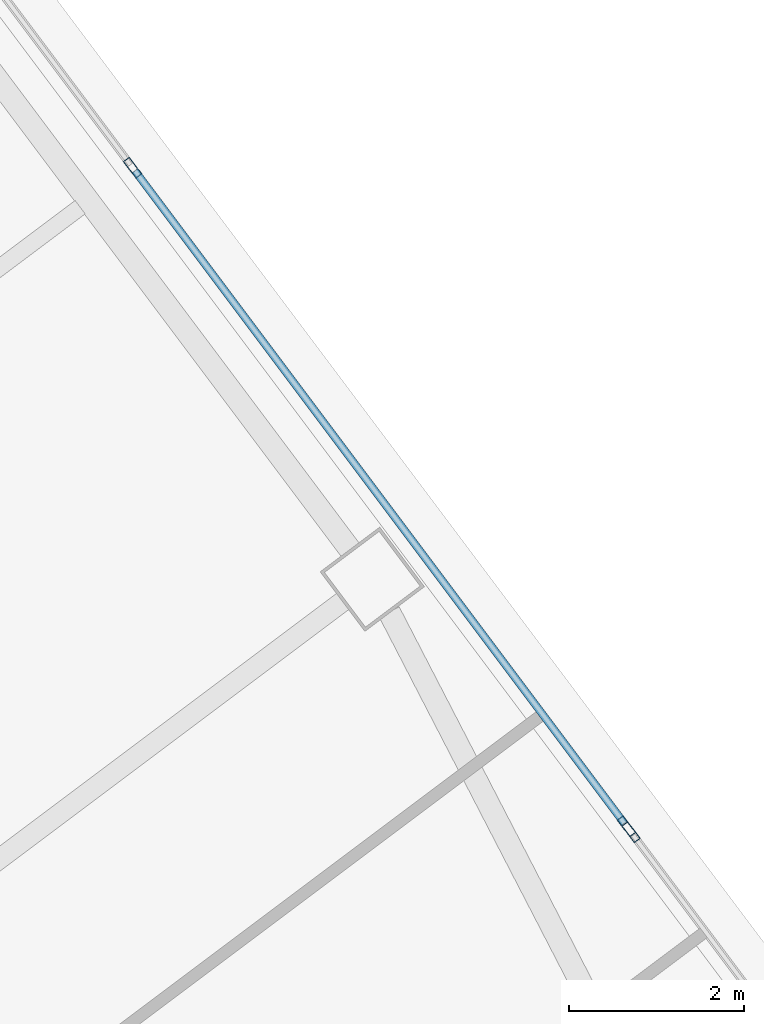
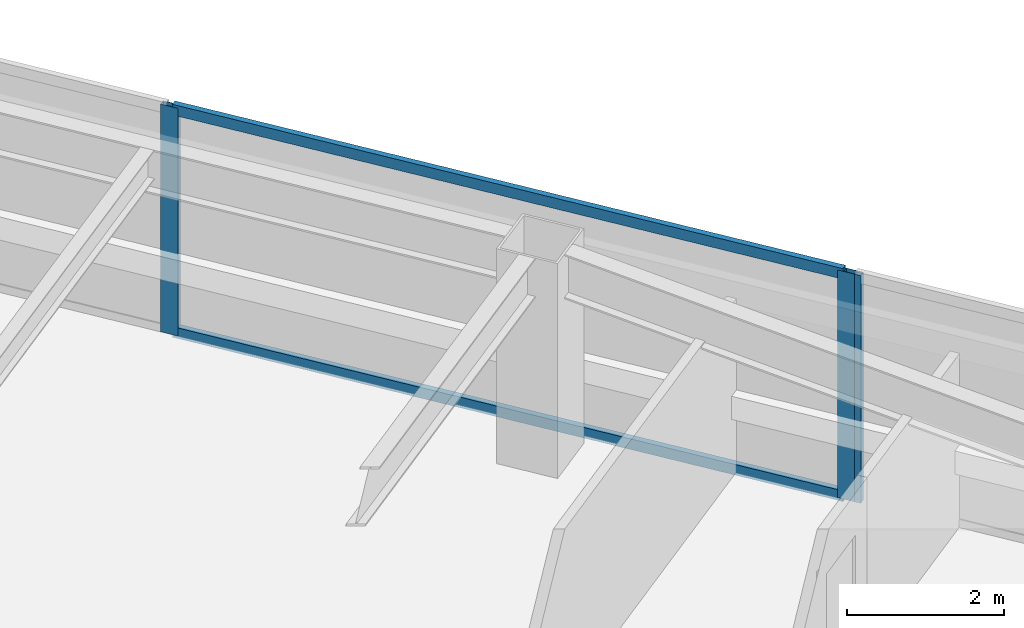
# One storey, part 33 of 46: 5 members, 2 elements without a shape of their own.
"""IFC4 building model written with IfcOpenShell, lengths in metres."""

from ifc_helpers import new_model, si_unit, direction, frame, origin, origin_2d, place, context, subcontext, project, spatial, hollow_rectangle, extrude, material, material_profile, profile_set, type_object, element, aggregate, save


model = new_model("IFC4")

# Units and contexts
model_context = context("Model", 3, precision=1e-05, world=origin(), true_north=direction((0.0, 1.0)))
body_context = subcontext(model_context, "Body", "Model", "MODEL_VIEW")
ifc_project = project(units=[si_unit("LENGTHUNIT", "METRE"), si_unit("AREAUNIT", "SQUARE_METRE"), si_unit("VOLUMEUNIT", "CUBIC_METRE"), si_unit("PLANEANGLEUNIT", "RADIAN"), si_unit("MASSUNIT", "GRAM", prefix="KILO")], contexts=[model_context])

# Site, building, storey
site_placement = place(None, origin())
site = spatial("IfcSite", under=ifc_project, at=site_placement, CompositionType="ELEMENT")
building_placement = place(site_placement, origin())
building = spatial("IfcBuilding", under=site, at=building_placement, Name="Tashvorn Skyway Center", CompositionType="ELEMENT")
storey_placement = place(building_placement, frame((0.0, 0.0, 60.10009765625)))
storey = spatial("IfcBuildingStorey", under=building, at=storey_placement, Name="L15", CompositionType="ELEMENT", Elevation=60.10009765625)

# Curtain wall, members
ifc_material = material(Name="Thermally broken bronze-anodized aluminium 6063-T6", Category="aluminium")
curtain_wall_type = type_object("IfcCurtainWallType", Name="CW-CW-Z1", PredefinedType="NOTDEFINED", material=ifc_material)
curtain_wall_1_placement = place(storey_placement, origin())
curtain_wall_1 = element("IfcCurtainWall", 1, at=curtain_wall_1_placement, inside=storey, type_object=curtain_wall_type, Name="Tower 2 L15 East Unitised Curtain Wall Glazing Group 2", PredefinedType="NOTDEFINED")
ifc_material_profile_1 = material_profile(ifc_material, hollow_rectangle(XDim=0.0849609375, YDim=0.239990234375, WallThickness=0.0048828125, at=origin_2d()), Name="ALU-MULL-85x240")
ifc_profile_set_1 = profile_set([ifc_material_profile_1], Name="Thermally broken bronze-anodized aluminium 6063-T6")
member_type_1 = type_object("IfcMemberType", Name="CWM-CW-Z1", PredefinedType="MULLION", material=ifc_profile_set_1)
member_1_placement = place(storey_placement, frame((131.343994140625, 45.008056640625, 0.0), z_axis=(0.0, 0.0, 1.0), x_axis=(0.799999999998, 0.600000000002, 0.0)))
member_1 = element("IfcMember", 2, at=member_1_placement, type_object=member_type_1, Name="CW-Z1 mullion 2", PredefinedType="MULLION", context=body_context, shape_type="SweptSolid", body=[
    extrude(hollow_rectangle(XDim=0.0849609375, YDim=0.239990234375, WallThickness=0.0048828125, at=origin_2d()), origin(), (0.0, 0.0, 1.0), 3.5498046875),
])
member_2_placement = place(storey_placement, frame((136.982421875, 37.489990234375, 0.0), z_axis=(0.0, 0.0, 1.0), x_axis=(0.799999999998, 0.600000000002, 0.0)))
member_2 = element("IfcMember", 3, at=member_2_placement, type_object=member_type_1, Name="CW-Z1 mullion 3", PredefinedType="MULLION", context=body_context, shape_type="SweptSolid", body=[
    extrude(hollow_rectangle(XDim=0.0849609375, YDim=0.239990234375, WallThickness=0.0048828125, at=origin_2d()), origin(), (0.0, 0.0, 1.0), 3.5498046875),
])

# Curtain wall, member
curtain_wall_2_placement = place(storey_placement, origin())
curtain_wall_2 = element("IfcCurtainWall", 4, at=curtain_wall_2_placement, inside=storey, type_object=curtain_wall_type, Name="Tower 2 L15 East Unitised Curtain Wall Glazing Group 3", PredefinedType="NOTDEFINED")
member_3_placement = place(storey_placement, frame((137.033447265625, 37.422119140625, 0.0), z_axis=(0.0, 0.0, 1.0), x_axis=(0.799996186392, 0.600005084776, 0.0)))
member_3 = element("IfcMember", 5, at=member_3_placement, type_object=member_type_1, Name="CW-Z1 mullion 1", PredefinedType="MULLION", context=body_context, shape_type="SweptSolid", body=[
    extrude(hollow_rectangle(XDim=0.0849609375, YDim=0.239990234375, WallThickness=0.0048828125, at=origin_2d()), origin(), (0.0, 0.0, 1.0), 3.5498046875),
])
aggregate(curtain_wall_2, [member_3])

# Member
ifc_material_profile_2 = material_profile(ifc_material, hollow_rectangle(XDim=0.0849609375, YDim=0.1650390625, WallThickness=0.0048828125, at=origin_2d()), Name="ALU-TRAN-85x165")
ifc_profile_set_2 = profile_set([ifc_material_profile_2], Name="Thermally broken bronze-anodized aluminium 6063-T6")
member_type_2 = type_object("IfcMemberType", Name="CWT-CW-Z1", PredefinedType="USERDEFINED", material=ifc_profile_set_2)
member_4_placement = place(storey_placement, frame((131.369384765625, 44.97412109375, 0.04248046875), z_axis=(0.6, -0.8, 0.0), x_axis=(0.8, 0.6, 0.0)))
member_4 = element("IfcMember", 6, at=member_4_placement, type_object=member_type_2, Name="CW-Z1 transom 2.1", ObjectType="TRANSOM", PredefinedType="USERDEFINED", context=body_context, shape_type="SweptSolid", body=[
    extrude(hollow_rectangle(XDim=0.0849609375, YDim=0.1650390625, WallThickness=0.0048828125, at=origin_2d()), origin(), (0.0, 0.0, 1.0), 9.312744140625),
])

member_5_placement = place(storey_placement, frame((131.369384765625, 44.97412109375, 3.50732421875), z_axis=(0.6, -0.8, 0.0), x_axis=(0.8, 0.6, 0.0)))
member_5 = element("IfcMember", 7, at=member_5_placement, type_object=member_type_2, Name="CW-Z1 transom 2.2", ObjectType="TRANSOM", PredefinedType="USERDEFINED", context=body_context, shape_type="SweptSolid", body=[
    extrude(hollow_rectangle(XDim=0.0849609375, YDim=0.1650390625, WallThickness=0.0048828125, at=origin_2d()), origin(), (0.0, 0.0, 1.0), 9.312744140625),
])

aggregate(curtain_wall_1, [member_1, member_2, member_4, member_5])

save(model, "model.ifc")
